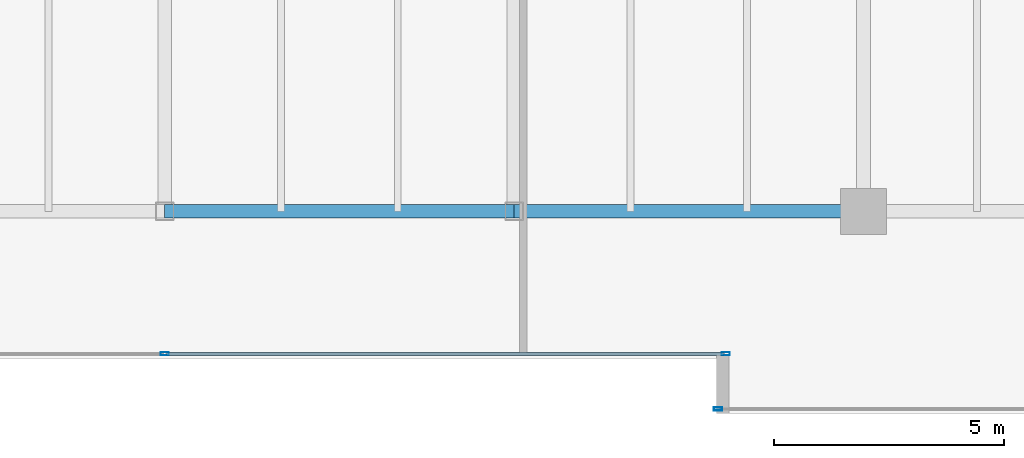
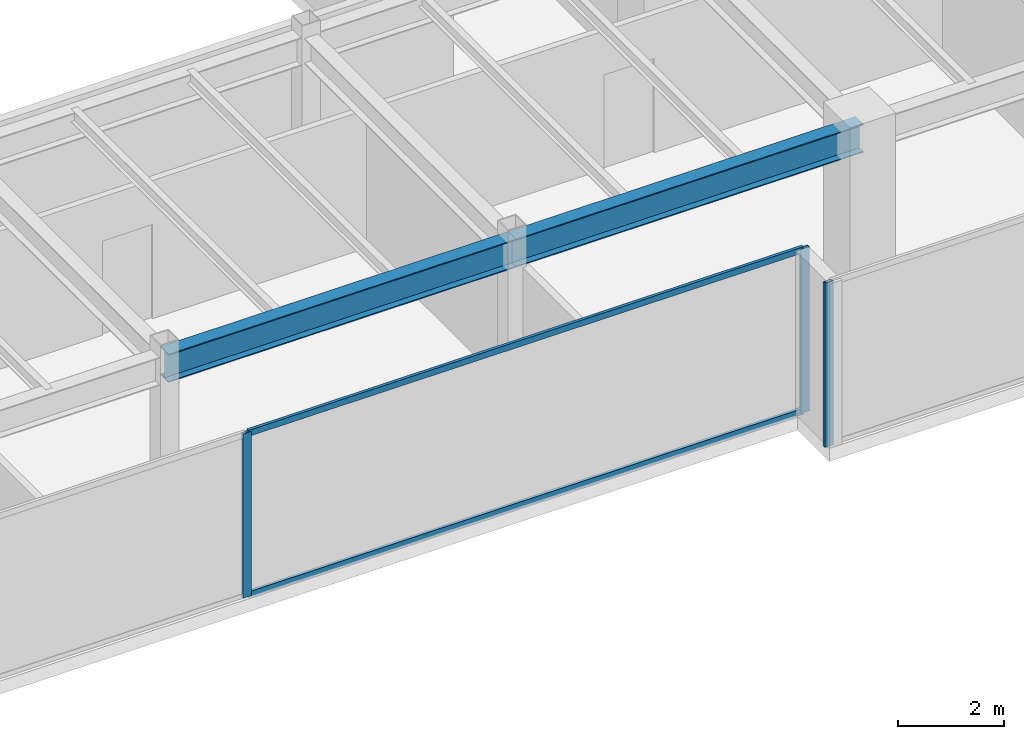
# One storey, part 11 of 33: 5 members, 2 beams, 2 elements without a shape of their own.
"""IFC4 building model written with IfcOpenShell, lengths in metres."""

import ifcopenshell
import ifcopenshell.guid

model = None  # the IFC model being written
_history = None  # IfcOwnerHistory: only IFC2X3 demands one
_inside = {}  # id of a spatial element -> (the spatial element, [elements in it])
_under = {}  # id of a project, library or spatial element -> (it, [spatial elements below it])
_declared = {}  # id of a project -> (the project, [libraries it declares])
_typed = {}  # id of a type object -> (the type object, [elements of that type])
_made_of = {}  # id of a material, layer set ... -> (it, [elements and type objects made of it])


def new_model(schema):
    """Start an empty IFC model of exactly this schema.

    Asked for "IFC4X3", IfcOpenShell would pick the latest addendum, in which some entities
    have other attributes; the version numbers below select the first issue.
    IFC2X3 requires an IfcOwnerHistory on every rooted entity: one is made here for all.
    """
    global model, _history
    if schema == "IFC4X3":
        model = ifcopenshell.file(schema_version=(4, 3, 0, 0))
    else:
        model = ifcopenshell.file(schema=schema)
    _inside.clear()
    _under.clear()
    _declared.clear()
    _typed.clear()
    _made_of.clear()
    _history = None
    if model.schema == "IFC2X3":
        org = make("IfcOrganization", Name="unknown")
        user = make(
            "IfcPersonAndOrganization",
            ThePerson=make("IfcPerson", FamilyName="unknown"),
            TheOrganization=org,
        )
        app = make(
            "IfcApplication",
            ApplicationDeveloper=org,
            Version="unknown",
            ApplicationFullName="unknown",
            ApplicationIdentifier="unknown",
        )
        _history = make(
            "IfcOwnerHistory",
            OwningUser=user,
            OwningApplication=app,
            ChangeAction="ADDED",
            CreationDate=0,
        )
    return model


def make(cls, **values):
    """One entity of the class cls with the attributes given. An attribute that is None is left unset."""
    return model.create_entity(
        cls, **{name: value for name, value in values.items() if value is not None}
    )


def rooted(cls, **values):
    """An entity with a GlobalId (a new one), such as an element, a storey or a relation."""
    return make(cls, GlobalId=ifcopenshell.guid.new(), OwnerHistory=_history, **values)


def si_unit(unit_type, name, prefix=None):
    """IfcSIUnit, for example si_unit("LENGTHUNIT", "METRE", prefix="MILLI")."""
    return make("IfcSIUnit", UnitType=unit_type, Prefix=prefix, Name=name)


def assignment(units):
    """IfcUnitAssignment: the units of a project."""
    return None if units is None else make("IfcUnitAssignment", Units=units)


def point(xyz):
    """IfcCartesianPoint."""
    return None if xyz is None else make("IfcCartesianPoint", Coordinates=xyz)


def direction(xyz):
    """IfcDirection."""
    return None if xyz is None else make("IfcDirection", DirectionRatios=xyz)


def frame(location, z_axis=None, x_axis=None):
    """IfcAxis2Placement3D, a coordinate frame: its origin and axes. An axis left out is left unset."""
    return make(
        "IfcAxis2Placement3D",
        Location=point(location),
        Axis=direction(z_axis),
        RefDirection=direction(x_axis),
    )


def frame_2d(location, x_axis=None):
    """IfcAxis2Placement2D, a coordinate frame in the plane: its origin and x axis."""
    return make(
        "IfcAxis2Placement2D", Location=point(location), RefDirection=direction(x_axis)
    )


def origin():
    """The frame at (0, 0, 0) with its axes left unset."""
    return frame((0.0, 0.0, 0.0))


def origin_2d():
    """The frame at (0, 0) in the plane with its x axis left unset."""
    return frame_2d((0.0, 0.0))


def place(relative_to, where):
    """IfcLocalPlacement: puts the frame where relative to a parent placement (None: the world)."""
    return make(
        "IfcLocalPlacement", PlacementRelTo=relative_to, RelativePlacement=where
    )


def context(
    kind, dimensions, precision=None, world=None, true_north=None, identifier=None
):
    """IfcGeometricRepresentationContext, for example the 3D "Model" context."""
    return make(
        "IfcGeometricRepresentationContext",
        ContextIdentifier=identifier,
        ContextType=kind,
        CoordinateSpaceDimension=dimensions,
        Precision=precision,
        WorldCoordinateSystem=world,
        TrueNorth=true_north,
    )


def subcontext(parent, identifier, kind, view, scale=None):
    """IfcGeometricRepresentationSubContext, for example "Body" below "Model"."""
    return make(
        "IfcGeometricRepresentationSubContext",
        ContextIdentifier=identifier,
        ContextType=kind,
        ParentContext=parent,
        TargetScale=scale,
        TargetView=view,
    )


def project(units=None, contexts=None):
    """IfcProject with its units and contexts."""
    return rooted(
        "IfcProject",
        Name="project",
        RepresentationContexts=contexts,
        UnitsInContext=assignment(units),
    )


def spatial(cls, under=None, at=None, **own):
    """A site, building, storey or space (cls), placed at a placement, below another one or the project."""
    s = rooted(cls, ObjectPlacement=at, **own)
    if under is not None:
        _under.setdefault(under.id(), (under, []))[1].append(s)
    return s


def profile(cls, at=None, kind="AREA", **sizes):
    """A parametric profile (cls). Its sizes go by their IFC names, for example OverallWidth=200.0."""
    return make(cls, ProfileType=kind, Position=at, **sizes)


def hollow_rectangle(**sizes):
    """IfcRectangleHollowProfileDef."""
    return profile("IfcRectangleHollowProfileDef", **sizes)


def i_section(**sizes):
    """IfcIShapeProfileDef."""
    return profile("IfcIShapeProfileDef", **sizes)


def extrude(swept, where, along, depth):
    """IfcExtrudedAreaSolid: the profile swept, set in the frame where, extruded along a direction by depth."""
    return make(
        "IfcExtrudedAreaSolid",
        SweptArea=swept,
        Position=where,
        ExtrudedDirection=direction(along),
        Depth=depth,
    )


def shape(context_of_items, identifier, shape_type, items):
    """IfcShapeRepresentation: the items that make up one representation, for example the "Body"."""
    return make(
        "IfcShapeRepresentation",
        ContextOfItems=context_of_items,
        RepresentationIdentifier=identifier,
        RepresentationType=shape_type,
        Items=items,
    )


def source(mapping_origin, context_of_items, identifier, shape_type, items):
    """IfcRepresentationMap: a shape defined once, which mapped items show again and again."""
    return make(
        "IfcRepresentationMap",
        MappingOrigin=mapping_origin,
        MappedRepresentation=shape(context_of_items, identifier, shape_type, items),
    )


def transform(
    local_origin,
    x_axis=None,
    y_axis=None,
    z_axis=None,
    scale=None,
    scale2=None,
    scale3=None,
    uniform=True,
):
    """IfcCartesianTransformationOperator3D, or its non-uniform kind. x_axis, y_axis, z_axis: its Axis1, 2, 3."""
    if uniform:
        return make(
            "IfcCartesianTransformationOperator3D",
            Axis1=direction(x_axis),
            Axis2=direction(y_axis),
            LocalOrigin=point(local_origin),
            Scale=scale,
            Axis3=direction(z_axis),
        )
    return make(
        "IfcCartesianTransformationOperator3DnonUniform",
        Axis1=direction(x_axis),
        Axis2=direction(y_axis),
        LocalOrigin=point(local_origin),
        Scale=scale,
        Axis3=direction(z_axis),
        Scale2=scale2,
        Scale3=scale3,
    )


def mapped(mapping_source, mapping_target):
    """IfcMappedItem: shows the shape of a source again, moved by a transform."""
    return make(
        "IfcMappedItem", MappingSource=mapping_source, MappingTarget=mapping_target
    )


def material(Name=None, Category=None):
    """IfcMaterial."""
    return make("IfcMaterial", Name=Name, Category=Category)


def layer(
    of_material, thickness, ventilated=None, Name=None, Category=None, Priority=None
):
    """IfcMaterialLayer: one layer of a wall or slab, of a material (None: an air gap)."""
    return make(
        "IfcMaterialLayer",
        Material=of_material,
        LayerThickness=thickness,
        IsVentilated=ventilated,
        Name=Name,
        Category=Category,
        Priority=Priority,
    )


def layer_set(layers, Name=None):
    """IfcMaterialLayerSet."""
    return make("IfcMaterialLayerSet", MaterialLayers=layers, LayerSetName=Name)


def material_profile(
    of_material, cross_section, Name=None, Category=None, Priority=None
):
    """IfcMaterialProfile: a cross section and its material."""
    return make(
        "IfcMaterialProfile",
        Name=Name,
        Material=of_material,
        Profile=cross_section,
        Priority=Priority,
        Category=Category,
    )


def profile_set(profiles, Name=None, composite=None):
    """IfcMaterialProfileSet."""
    return make(
        "IfcMaterialProfileSet",
        Name=Name,
        MaterialProfiles=profiles,
        CompositeProfile=composite,
    )


def made_of(thing, what):
    """Note that an element or type object is made of a material, layer set ...; save() writes the relation."""
    if what is not None:
        _made_of.setdefault(what.id(), (what, []))[1].append(thing)
    return thing


def type_object(cls, material=None, **own):
    """A type object (cls), such as IfcWallType, which elements share."""
    return made_of(rooted(cls, **own), material)


def type_shapes(of_type, sources):
    """Give a type object the sources (RepresentationMaps) that its elements show as mapped items."""
    of_type.RepresentationMaps = sources


def element(
    cls,
    number,
    at=None,
    inside=None,
    cuts=None,
    type_object=None,
    material=None,
    context=None,
    identifier="Body",
    shape_type=None,
    held_by="IfcProductDefinitionShape",
    body=None,
    shapes=None,
    **own,
):
    """One element of the class cls, such as IfcWall. Its Tag is "e" and its number.

    at: its placement. inside: the storey or other place that contains it. cuts: it is an
    opening in that element (IfcRelVoidsElement). A single representation is given by context,
    identifier, shape_type and body (its items); several are given by shapes. held_by: the class
    of the entity that holds the representations. save() writes the other relations.
    """
    e = rooted(cls, Tag="e%d" % number, ObjectPlacement=at, **own)
    if body is not None:
        shapes = [shape(context, identifier, shape_type, body)]
    if shapes is not None:
        e.Representation = make(held_by, Representations=shapes)
    if inside is not None:
        _inside.setdefault(inside.id(), (inside, []))[1].append(e)
    if cuts is not None:
        rooted(
            "IfcRelVoidsElement", RelatingBuildingElement=cuts, RelatedOpeningElement=e
        )
    if type_object is not None:
        _typed.setdefault(type_object.id(), (type_object, []))[1].append(e)
    return made_of(e, material)


def aggregate(whole, parts):
    """IfcRelAggregates: a whole, such as a stair, and the parts it consists of."""
    return rooted("IfcRelAggregates", RelatingObject=whole, RelatedObjects=parts)


def save(model, path):
    """Write the relations noted so far, then the file.

    IfcRelAggregates (storeys below a building ...), IfcRelContainedInSpatialStructure (elements
    in a storey), IfcRelDefinesByType, IfcRelAssociatesMaterial and IfcRelDeclares: one each for
    every whole, place, type object, material and project.
    """
    for whole, parts in _under.values():
        aggregate(whole, parts)
    for where, things in _inside.values():
        rooted(
            "IfcRelContainedInSpatialStructure",
            RelatedElements=things,
            RelatingStructure=where,
        )
    for kind, things in _typed.values():
        rooted("IfcRelDefinesByType", RelatedObjects=things, RelatingType=kind)
    for what, things in _made_of.values():
        rooted("IfcRelAssociatesMaterial", RelatedObjects=things, RelatingMaterial=what)
    for by, libraries in _declared.values():
        rooted("IfcRelDeclares", RelatingContext=by, RelatedDefinitions=libraries)
    model.write(path)


model = new_model("IFC4")

# Units and contexts
model_context = context("Model", 3, precision=1e-05, world=origin(), true_north=direction((0.0, 1.0)))
body_context = subcontext(model_context, "Body", "Model", "MODEL_VIEW")
ifc_project = project(units=[si_unit("LENGTHUNIT", "METRE"), si_unit("AREAUNIT", "SQUARE_METRE"), si_unit("VOLUMEUNIT", "CUBIC_METRE"), si_unit("PLANEANGLEUNIT", "RADIAN"), si_unit("MASSUNIT", "GRAM", prefix="KILO")], contexts=[model_context])

# Site, building, storey
site_placement = place(None, origin())
site = spatial("IfcSite", under=ifc_project, at=site_placement, CompositionType="ELEMENT")
building_placement = place(site_placement, origin())
building = spatial("IfcBuilding", under=site, at=building_placement, Name="Haelvirn Gate Laboratories", CompositionType="ELEMENT")
storey_placement = place(building_placement, frame((0.0, 0.0, 209.60009765625)))
storey = spatial("IfcBuildingStorey", under=building, at=storey_placement, Name="L50", CompositionType="ELEMENT", Elevation=209.60009765625)

# Beams
ifc_material_1 = material(Name="Steel SM355", Category="steel")
ifc_material_profile_1 = material_profile(ifc_material_1, i_section(OverallWidth=0.300048828125, OverallDepth=0.64990234375, WebThickness=0.012939453125, FlangeThickness=0.02197265625, at=origin_2d()), Name="H-650x300x13x22")
ifc_profile_set_1 = profile_set([ifc_material_profile_1], Name="Steel SM355")
beam_type = type_object("IfcBeamType", Name="BM-G-650", PredefinedType="BEAM", material=ifc_profile_set_1)
shared_shape_1 = source(origin(), body_context, "Body", "SweptSolid", [
    extrude(i_section(OverallWidth=0.300048828125, OverallDepth=0.64990234375, WebThickness=0.012939453125, FlangeThickness=0.02197265625, at=origin_2d()), origin(), (0.0, 0.0, 1.0), 7.60009765625),
])
type_shapes(beam_type, [shared_shape_1])
for number, where, z_axis, x_axis, name in (
    (1, (37.39990234375, 7.0, 3.474853515625), (1.0, 0.0, 0.0), (0.0, 1.0, 0.0), "L50 Primary Girder Y7.0 (37.4-45.0)"),
    (2, (45.0, 7.0, 3.474853515625), (1.0, 0.0, 0.0), (0.0, 1.0, 0.0), "L50 Primary Girder Y7.0 (45.0-52.6)"),
):
    element("IfcBeam", number, at=place(storey_placement, frame(where, z_axis=z_axis, x_axis=x_axis)), inside=storey, type_object=beam_type, Name=name, PredefinedType="BEAM", context=body_context, shape_type="MappedRepresentation", body=[
        mapped(shared_shape_1, transform((0.0, 0.0, 0.0), scale=1.0)),
    ])

# Curtain wall, members
ifc_material_2 = material(Name="Anodised bronze unitised aluminium & triple low-E glass", Category="aluminium")
ifc_layer = layer(ifc_material_2, 0.176025390625, Name="CW-SYS-4")
ifc_layer_set = layer_set([ifc_layer], Name="Anodised bronze unitised aluminium & triple low-E glass")
curtain_wall_type = type_object("IfcCurtainWallType", Name="CW-SYS-4", PredefinedType="NOTDEFINED", material=ifc_layer_set)
curtain_wall_1_placement = place(storey_placement, origin())
curtain_wall_1 = element("IfcCurtainWall", 3, at=curtain_wall_1_placement, inside=storey, type_object=curtain_wall_type, Name="L50 Unitised Curtain Wall CW-L50-P0-E02-1", PredefinedType="NOTDEFINED")
ifc_material_3 = material(Name="Extruded aluminium 6063-T6 (anodised bronze)", Category="aluminium")
ifc_material_profile_2 = material_profile(ifc_material_3, hollow_rectangle(XDim=0.06494140625, YDim=0.139892578125, WallThickness=0.00390625, at=origin_2d()), Name="CWT-140x65x4")
ifc_profile_set_2 = profile_set([ifc_material_profile_2], Name="Extruded aluminium 6063-T6 (anodised bronze)")
member_type_1 = type_object("IfcMemberType", Name="CWT-T140", PredefinedType="USERDEFINED", material=ifc_profile_set_2)
shared_shape_2 = source(origin(), body_context, "Body", "SweptSolid", [
    extrude(hollow_rectangle(XDim=0.06494140625, YDim=0.139892578125, WallThickness=0.00390625, at=origin_2d()), origin(), (0.0, 0.0, 1.0), 12.135009765625),
])
type_shapes(member_type_1, [shared_shape_2])
member_1_placement = place(storey_placement, frame((37.43505859375, 3.89990234375, 0.032470703125), z_axis=(1.0, 0.0, 0.0), x_axis=(0.0, 1.0, 0.0)))
member_1 = element("IfcMember", 4, at=member_1_placement, type_object=member_type_1, Name="CW4 transom 2.1", ObjectType="TRANSOM", PredefinedType="USERDEFINED", context=body_context, shape_type="MappedRepresentation", body=[
    mapped(shared_shape_2, transform((0.0, 0.0, 0.0), scale=1.0)),
])
member_2_placement = place(storey_placement, frame((37.43505859375, 3.89990234375, 3.767333984375), z_axis=(1.0, 0.0, 0.0), x_axis=(0.0, 1.0, 0.0)))
member_2 = element("IfcMember", 5, at=member_2_placement, type_object=member_type_1, Name="CW4 transom 2.2", ObjectType="TRANSOM", PredefinedType="USERDEFINED", context=body_context, shape_type="MappedRepresentation", body=[
    mapped(shared_shape_2, transform((0.0, 0.0, 0.0), scale=1.0)),
])
ifc_material_profile_3 = material_profile(ifc_material_3, hollow_rectangle(XDim=0.070068359375, YDim=0.179931640625, WallThickness=0.0048828125, at=origin_2d()), Name="CWM-180x70x5")
ifc_profile_set_3 = profile_set([ifc_material_profile_3], Name="Extruded aluminium 6063-T6 (anodised bronze)")
member_type_2 = type_object("IfcMemberType", Name="CWM-T180", PredefinedType="MULLION", material=ifc_profile_set_3)
shared_shape_3 = source(origin(), body_context, "Body", "SweptSolid", [
    extrude(hollow_rectangle(XDim=0.070068359375, YDim=0.179931640625, WallThickness=0.0048828125, at=origin_2d()), origin(), (0.0, 0.0, 1.0), 3.7998046875),
])
type_shapes(member_type_2, [shared_shape_3])
member_3_placement = place(storey_placement, frame((37.39990234375, 3.89990234375, 0.0), z_axis=(0.0, 0.0, 1.0), x_axis=(0.0, 1.0, 0.0)))
member_3 = element("IfcMember", 6, at=member_3_placement, type_object=member_type_2, Name="CW4 mullion 2", PredefinedType="MULLION", context=body_context, shape_type="MappedRepresentation", body=[
    mapped(shared_shape_3, transform((0.0, 0.0, 0.0), scale=1.0)),
])
member_4_placement = place(storey_placement, frame((49.60498046875, 3.89990234375, 0.0), z_axis=(0.0, 0.0, 1.0), x_axis=(0.0, 1.0, 0.0)))
member_4 = element("IfcMember", 7, at=member_4_placement, type_object=member_type_2, Name="CW4 mullion 3", PredefinedType="MULLION", context=body_context, shape_type="MappedRepresentation", body=[
    mapped(shared_shape_3, transform((0.0, 0.0, 0.0), scale=1.0)),
])
aggregate(curtain_wall_1, [member_3, member_4, member_1, member_2])

# Curtain wall, member
curtain_wall_2_placement = place(storey_placement, origin())
curtain_wall_2 = element("IfcCurtainWall", 8, at=curtain_wall_2_placement, inside=storey, type_object=curtain_wall_type, Name="L50 Unitised Curtain Wall CW-L50-P0-E04-1", PredefinedType="NOTDEFINED")
member_5_placement = place(storey_placement, frame((49.43505859375, 2.699951171875, 0.0), z_axis=(0.0, 0.0, 1.0), x_axis=(0.0, 1.0, 0.0)))
member_5 = element("IfcMember", 9, at=member_5_placement, type_object=member_type_2, Name="CW4 mullion 1", PredefinedType="MULLION", context=body_context, shape_type="MappedRepresentation", body=[
    mapped(shared_shape_3, transform((0.0, 0.0, 0.0), scale=1.0)),
])
aggregate(curtain_wall_2, [member_5])

save(model, "model.ifc")
